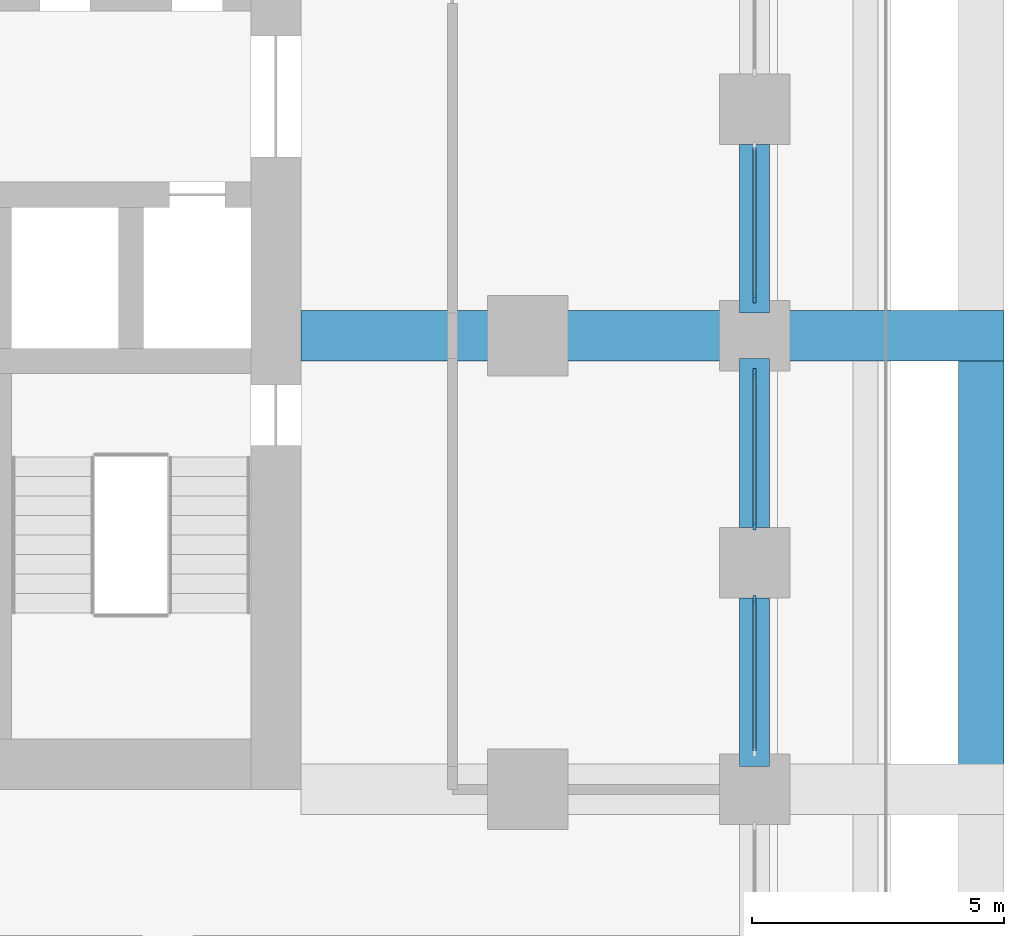
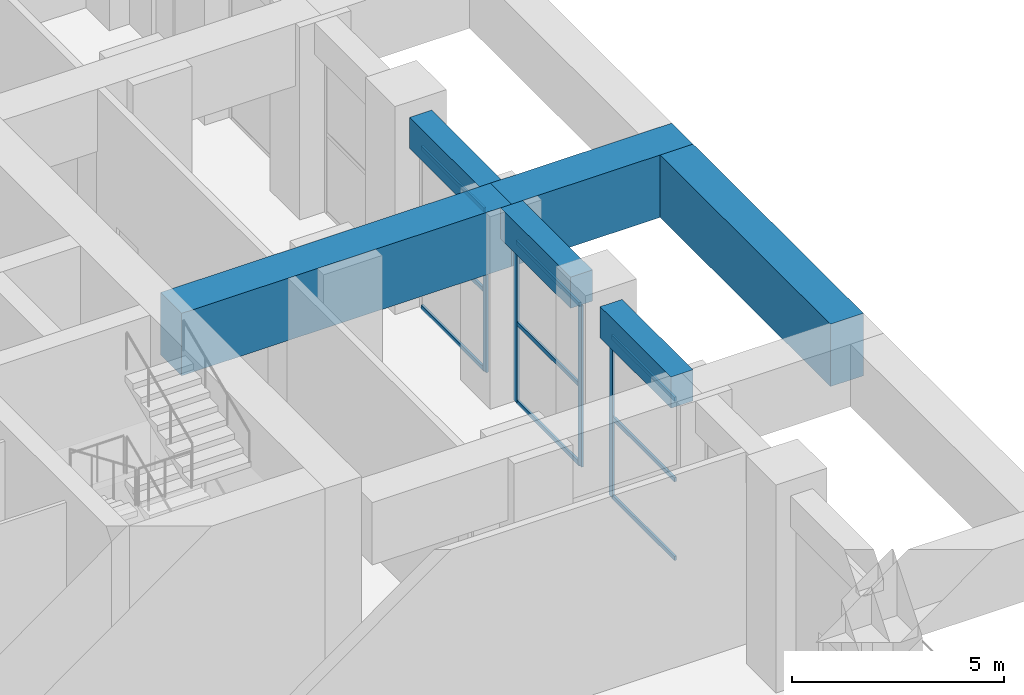
# One storey, part 5 of 21: 13 members, 6 beams, 3 elements without a shape of their own.
"""IFC4 building model written with IfcOpenShell, lengths in metres."""

from ifc_helpers import new_model, si_unit, direction, frame, origin, origin_2d, place, context, subcontext, project, spatial, rectangle, extrude, material, material_profile, profile_set, type_object, element, aggregate, save


model = new_model("IFC4")

# Units and contexts
model_context = context("Model", 3, precision=1e-05, world=origin(), true_north=direction((0.0, 1.0)))
body_context = subcontext(model_context, "Body", "Model", "MODEL_VIEW")
ifc_project = project(units=[si_unit("LENGTHUNIT", "METRE"), si_unit("AREAUNIT", "SQUARE_METRE"), si_unit("VOLUMEUNIT", "CUBIC_METRE"), si_unit("PLANEANGLEUNIT", "RADIAN"), si_unit("MASSUNIT", "GRAM", prefix="KILO")], contexts=[model_context])

# Site, building, storey
site_placement = place(None, origin())
site = spatial("IfcSite", under=ifc_project, at=site_placement, CompositionType="ELEMENT")
building_placement = place(site_placement, origin())
building = spatial("IfcBuilding", under=site, at=building_placement, Name="Corbel Stack Research Tower", CompositionType="ELEMENT")
storey_placement = place(building_placement, frame((0.0, 0.0, 35.89990234375)))
storey = spatial("IfcBuildingStorey", under=building, at=storey_placement, Name="L08", CompositionType="ELEMENT", Elevation=35.89990234375)

# Curtain wall, member
ifc_material_1 = material(Name="Aluminium frame, clear glass", Category="aluminium")
curtain_wall_type = type_object("IfcCurtainWallType", Name="Amenity floor curtain wall CW2", PredefinedType="NOTDEFINED", material=ifc_material_1)
curtain_wall_1_placement = place(storey_placement, origin())
curtain_wall_1 = element("IfcCurtainWall", 1, at=curtain_wall_1_placement, inside=storey, type_object=curtain_wall_type, Name="Curtain wall CW2 L08 E04", PredefinedType="NOTDEFINED")
ifc_material_2 = material(Name="Aluminium mullion", Category="aluminium")
ifc_material_profile_1 = material_profile(ifc_material_2, rectangle(XDim=0.06005859375, YDim=0.159912109375, at=origin_2d()), Name="Mullion 60 x 160")
ifc_profile_set_1 = profile_set([ifc_material_profile_1], Name="Aluminium mullion")
member_type_1 = type_object("IfcMemberType", Name="Curtain wall mullion 60 x 160", PredefinedType="MULLION", material=ifc_profile_set_1)
member_1_placement = place(storey_placement, frame((27.0, -5.22998046875, 0.0), z_axis=(0.0, 0.0, 1.0), x_axis=(-1.0, 0.0, 0.0)))
member_1 = element("IfcMember", 2, at=member_1_placement, type_object=member_type_1, Name="CW2 L08 E04 mullion 2", PredefinedType="MULLION", context=body_context, shape_type="SweptSolid", body=[
    extrude(rectangle(XDim=0.06005859375, YDim=0.159912109375, at=origin_2d()), origin(), (0.0, 0.0, 1.0), 4.650146484375),
])

# Curtain wall, members
curtain_wall_2_placement = place(storey_placement, origin())
curtain_wall_2 = element("IfcCurtainWall", 3, at=curtain_wall_2_placement, inside=storey, type_object=curtain_wall_type, Name="Curtain wall CW2 L08 E05", PredefinedType="NOTDEFINED")
member_2_placement = place(storey_placement, frame((27.0, -3.77001953125, 0.0), z_axis=(0.0, 0.0, 1.0), x_axis=(-1.0, 0.0, 0.0)))
member_2 = element("IfcMember", 4, at=member_2_placement, type_object=member_type_1, Name="CW2 L08 E05 mullion 1", PredefinedType="MULLION", context=body_context, shape_type="SweptSolid", body=[
    extrude(rectangle(XDim=0.06005859375, YDim=0.159912109375, at=origin_2d()), origin(), (0.0, 0.0, 1.0), 4.650146484375),
])
member_3_placement = place(storey_placement, frame((27.0, -0.72998046875, 0.0), z_axis=(0.0, 0.0, 1.0), x_axis=(-1.0, 0.0, 0.0)))
member_3 = element("IfcMember", 5, at=member_3_placement, type_object=member_type_1, Name="CW2 L08 E05 mullion 2", PredefinedType="MULLION", context=body_context, shape_type="SweptSolid", body=[
    extrude(rectangle(XDim=0.06005859375, YDim=0.159912109375, at=origin_2d()), origin(), (0.0, 0.0, 1.0), 4.650146484375),
])

# Curtain wall, member
curtain_wall_3_placement = place(storey_placement, origin())
curtain_wall_3 = element("IfcCurtainWall", 6, at=curtain_wall_3_placement, inside=storey, type_object=curtain_wall_type, Name="Curtain wall CW2 L08 E06", PredefinedType="NOTDEFINED")
member_4_placement = place(storey_placement, frame((27.0, 0.72998046875, 0.0), z_axis=(0.0, 0.0, 1.0), x_axis=(-1.0, 0.0, 0.0)))
member_4 = element("IfcMember", 7, at=member_4_placement, type_object=member_type_1, Name="CW2 L08 E06 mullion 1", PredefinedType="MULLION", context=body_context, shape_type="SweptSolid", body=[
    extrude(rectangle(XDim=0.06005859375, YDim=0.159912109375, at=origin_2d()), origin(), (0.0, 0.0, 1.0), 4.650146484375),
])

# Member
ifc_material_3 = material(Name="Aluminium transom", Category="aluminium")
ifc_material_profile_2 = material_profile(ifc_material_3, rectangle(XDim=0.06005859375, YDim=0.1201171875, at=origin_2d()), Name="Transom 60 x 120")
ifc_profile_set_2 = profile_set([ifc_material_profile_2], Name="Aluminium transom")
member_type_2 = type_object("IfcMemberType", Name="Curtain wall transom 60 x 120", PredefinedType="USERDEFINED", material=ifc_profile_set_2)
member_5_placement = place(storey_placement, frame((27.0, -8.239990234375, 0.030029296875), z_axis=(0.0, 1.0, 0.0), x_axis=(-1.0, 0.0, 0.0)))
member_5 = element("IfcMember", 8, at=member_5_placement, type_object=member_type_2, Name="CW2 L08 E04 transom 1.1", ObjectType="TRANSOM", PredefinedType="USERDEFINED", context=body_context, shape_type="SweptSolid", body=[
    extrude(rectangle(XDim=0.06005859375, YDim=0.1201171875, at=origin_2d()), origin(), (0.0, 0.0, 1.0), 2.97998046875),
])

member_6_placement = place(storey_placement, frame((27.0, -8.239990234375, 2.300048828125), z_axis=(0.0, 1.0, 0.0), x_axis=(-1.0, 0.0, 0.0)))
member_6 = element("IfcMember", 9, at=member_6_placement, type_object=member_type_2, Name="CW2 L08 E04 transom 1.2", ObjectType="TRANSOM", PredefinedType="USERDEFINED", context=body_context, shape_type="SweptSolid", body=[
    extrude(rectangle(XDim=0.06005859375, YDim=0.1201171875, at=origin_2d()), origin(), (0.0, 0.0, 1.0), 2.97998046875),
])

member_7_placement = place(storey_placement, frame((27.0, -8.239990234375, 4.6201171875), z_axis=(0.0, 1.0, 0.0), x_axis=(-1.0, 0.0, 0.0)))
member_7 = element("IfcMember", 10, at=member_7_placement, type_object=member_type_2, Name="CW2 L08 E04 transom 1.3", ObjectType="TRANSOM", PredefinedType="USERDEFINED", context=body_context, shape_type="SweptSolid", body=[
    extrude(rectangle(XDim=0.06005859375, YDim=0.1201171875, at=origin_2d()), origin(), (0.0, 0.0, 1.0), 2.97998046875),
])

aggregate(curtain_wall_1, [member_1, member_5, member_6, member_7])

member_8_placement = place(storey_placement, frame((27.0, -3.739990234375, 0.030029296875), z_axis=(0.0, 1.0, 0.0), x_axis=(-1.0, 0.0, 0.0)))
member_8 = element("IfcMember", 11, at=member_8_placement, type_object=member_type_2, Name="CW2 L08 E05 transom 1.1", ObjectType="TRANSOM", PredefinedType="USERDEFINED", context=body_context, shape_type="SweptSolid", body=[
    extrude(rectangle(XDim=0.06005859375, YDim=0.1201171875, at=origin_2d()), origin(), (0.0, 0.0, 1.0), 2.97998046875),
])

member_9_placement = place(storey_placement, frame((27.0, -3.739990234375, 2.300048828125), z_axis=(0.0, 1.0, 0.0), x_axis=(-1.0, 0.0, 0.0)))
member_9 = element("IfcMember", 12, at=member_9_placement, type_object=member_type_2, Name="CW2 L08 E05 transom 1.2", ObjectType="TRANSOM", PredefinedType="USERDEFINED", context=body_context, shape_type="SweptSolid", body=[
    extrude(rectangle(XDim=0.06005859375, YDim=0.1201171875, at=origin_2d()), origin(), (0.0, 0.0, 1.0), 2.97998046875),
])

member_10_placement = place(storey_placement, frame((27.0, -3.739990234375, 4.6201171875), z_axis=(0.0, 1.0, 0.0), x_axis=(-1.0, 0.0, 0.0)))
member_10 = element("IfcMember", 13, at=member_10_placement, type_object=member_type_2, Name="CW2 L08 E05 transom 1.3", ObjectType="TRANSOM", PredefinedType="USERDEFINED", context=body_context, shape_type="SweptSolid", body=[
    extrude(rectangle(XDim=0.06005859375, YDim=0.1201171875, at=origin_2d()), origin(), (0.0, 0.0, 1.0), 2.97998046875),
])

aggregate(curtain_wall_2, [member_2, member_3, member_8, member_9, member_10])

member_11_placement = place(storey_placement, frame((27.0, 0.760009765625, 0.030029296875), z_axis=(0.0, 1.0, 0.0), x_axis=(-1.0, 0.0, 0.0)))
member_11 = element("IfcMember", 14, at=member_11_placement, type_object=member_type_2, Name="CW2 L08 E06 transom 1.1", ObjectType="TRANSOM", PredefinedType="USERDEFINED", context=body_context, shape_type="SweptSolid", body=[
    extrude(rectangle(XDim=0.06005859375, YDim=0.1201171875, at=origin_2d()), origin(), (0.0, 0.0, 1.0), 2.97998046875),
])

member_12_placement = place(storey_placement, frame((27.0, 0.760009765625, 2.300048828125), z_axis=(0.0, 1.0, 0.0), x_axis=(-1.0, 0.0, 0.0)))
member_12 = element("IfcMember", 15, at=member_12_placement, type_object=member_type_2, Name="CW2 L08 E06 transom 1.2", ObjectType="TRANSOM", PredefinedType="USERDEFINED", context=body_context, shape_type="SweptSolid", body=[
    extrude(rectangle(XDim=0.06005859375, YDim=0.1201171875, at=origin_2d()), origin(), (0.0, 0.0, 1.0), 2.97998046875),
])

member_13_placement = place(storey_placement, frame((27.0, 0.760009765625, 4.6201171875), z_axis=(0.0, 1.0, 0.0), x_axis=(-1.0, 0.0, 0.0)))
member_13 = element("IfcMember", 16, at=member_13_placement, type_object=member_type_2, Name="CW2 L08 E06 transom 1.3", ObjectType="TRANSOM", PredefinedType="USERDEFINED", context=body_context, shape_type="SweptSolid", body=[
    extrude(rectangle(XDim=0.06005859375, YDim=0.1201171875, at=origin_2d()), origin(), (0.0, 0.0, 1.0), 2.97998046875),
])

aggregate(curtain_wall_3, [member_4, member_11, member_12, member_13])

# Beams
ifc_material_4 = material(Name="Concrete C60/75", Category="concrete")
ifc_material_profile_3 = material_profile(ifc_material_4, rectangle(XDim=0.60009765625, YDim=0.89990234375, at=origin_2d()), Name="RC 600 x 900")
ifc_profile_set_3 = profile_set([ifc_material_profile_3], Name="Concrete C60/75")
beam_type_1 = type_object("IfcBeamType", Name="SB-600-900-450", PredefinedType="SPANDREL", material=ifc_profile_set_3)
for number, where, z_axis, x_axis, name in (
    (17, (27.0, -8.550048828125, 5.10009765625), (0.0, 1.0, 0.0), (-1.0, 0.0, 0.0), "Spandrel beam L08-15"),
    (18, (27.0, -3.800048828125, 5.10009765625), (0.0, 1.0, 0.0), (-1.0, 0.0, 0.0), "Spandrel beam L08-16"),
    (19, (27.0, 0.449951171875, 5.10009765625), (0.0, 1.0, 0.0), (-1.0, 0.0, 0.0), "Spandrel beam L08-17"),
):
    element("IfcBeam", number, at=place(storey_placement, frame(where, z_axis=z_axis, x_axis=x_axis)), inside=storey, type_object=beam_type_1, Name=name, PredefinedType="SPANDREL", context=body_context, shape_type="SweptSolid", body=[
        extrude(rectangle(XDim=0.60009765625, YDim=0.89990234375, at=origin_2d()), origin(), (0.0, 0.0, 1.0), 3.35009765625),
    ])
ifc_material_5 = material(Name="Concrete C60/75", Category="concrete")
ifc_material_profile_4 = material_profile(ifc_material_5, rectangle(XDim=1.0, YDim=1.800048828125, at=origin_2d()), Name="RC 1000 x 1800")
ifc_profile_set_4 = profile_set([ifc_material_profile_4], Name="Concrete C60/75")
beam_type_2 = type_object("IfcBeamType", Name="TG-1000-1800", PredefinedType="BEAM", material=ifc_profile_set_4)
beam_1_placement = place(storey_placement, frame((31.949951171875, 0.0, 4.650146484375), z_axis=(-1.0, 0.0, 0.0), x_axis=(0.0, -1.0, 0.0)))
element("IfcBeam", 20, at=beam_1_placement, inside=storey, type_object=beam_type_2, Name="Transfer girder L08 E0c", PredefinedType="BEAM", context=body_context, shape_type="SweptSolid", body=[
    extrude(rectangle(XDim=1.0, YDim=1.800048828125, at=origin_2d()), origin(), (0.0, 0.0, 1.0), 4.949951171875),
])
beam_2_placement = place(storey_placement, frame((27.0, 0.0, 4.650146484375), z_axis=(-1.0, 0.0, 0.0), x_axis=(0.0, -1.0, 0.0)))
element("IfcBeam", 21, at=beam_2_placement, inside=storey, type_object=beam_type_2, Name="Transfer girder L08 E0b", PredefinedType="BEAM", context=body_context, shape_type="SweptSolid", body=[
    extrude(rectangle(XDim=1.0, YDim=1.800048828125, at=origin_2d()), origin(), (0.0, 0.0, 1.0), 9.0),
])
ifc_material_6 = material(Name="Concrete C60/75", Category="concrete")
ifc_material_profile_5 = material_profile(ifc_material_6, rectangle(XDim=0.89990234375, YDim=1.800048828125, at=origin_2d()), Name="RC 900 x 1800")
ifc_profile_set_5 = profile_set([ifc_material_profile_5], Name="Concrete C60/75")
beam_type_3 = type_object("IfcBeamType", Name="TG-900-1800", PredefinedType="BEAM", material=ifc_profile_set_5)
beam_3_placement = place(storey_placement, frame((31.5, -8.550048828125, 4.650146484375), z_axis=(0.0, 1.0, 0.0), x_axis=(-1.0, 0.0, 0.0)))
element("IfcBeam", 22, at=beam_3_placement, inside=storey, type_object=beam_type_3, Name="Transfer edge beam L08 Ee-9", PredefinedType="BEAM", context=body_context, shape_type="SweptSolid", body=[
    extrude(rectangle(XDim=0.89990234375, YDim=1.800048828125, at=origin_2d()), origin(), (0.0, 0.0, 1.0), 8.10009765625),
])

save(model, "model.ifc")
